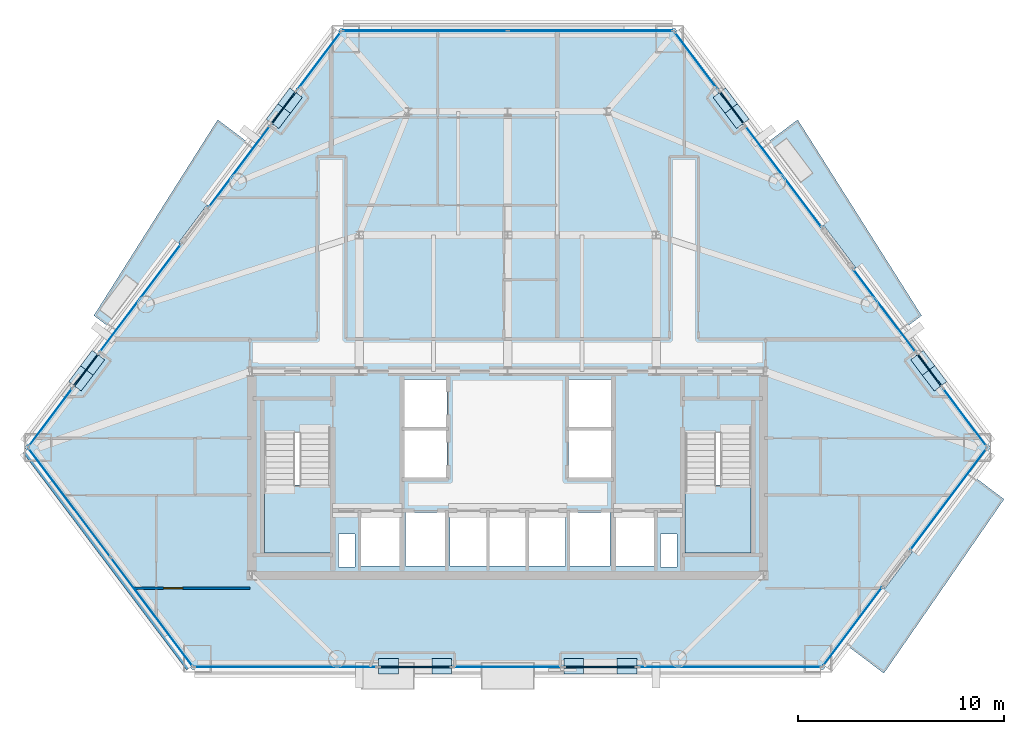
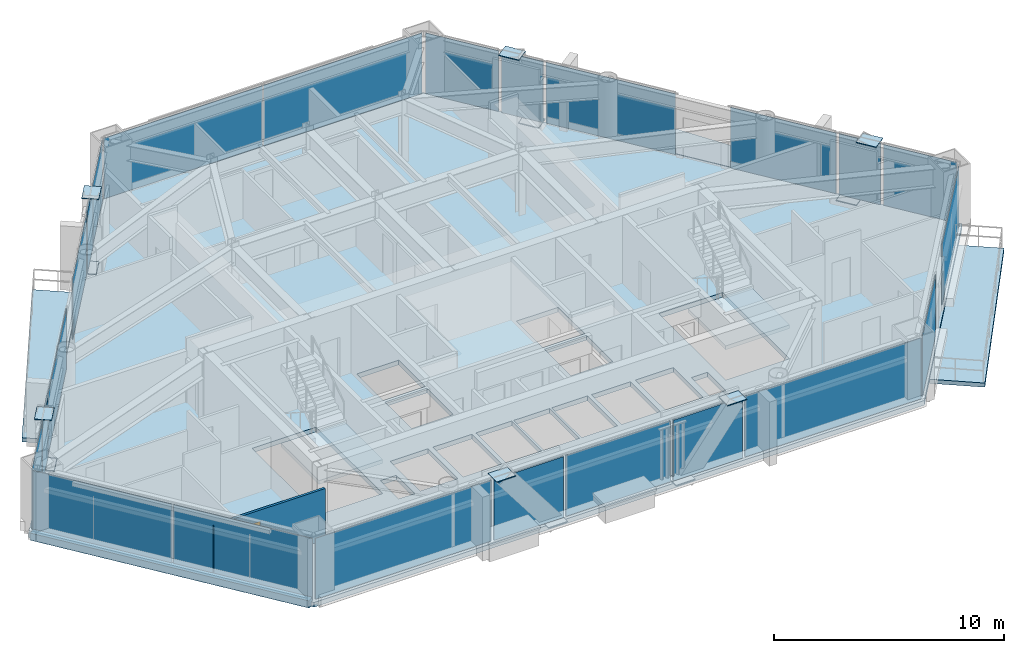
# One storey, part 5 of 11: 35 plates, 6 slabs, 2 walls, 1 door, 1 opening, 23 elements without a shape of their own.
"""IFC4 building model written with IfcOpenShell, lengths in metres."""

from ifc_helpers import new_model, si_unit, direction, frame, frame_2d, origin, origin_2d, place, context, subcontext, project, spatial, polyline, rectangle, outline, extrude, source, transform, mapped, material, layer, layer_set, type_object, type_shapes, element, fill, aggregate, save


model = new_model("IFC4")

# Units and contexts
model_context = context("Model", 3, precision=1e-05, world=origin(), true_north=direction((0.0, 1.0)))
body_context = subcontext(model_context, "Body", "Model", "MODEL_VIEW")
ifc_project = project(units=[si_unit("LENGTHUNIT", "METRE"), si_unit("AREAUNIT", "SQUARE_METRE"), si_unit("VOLUMEUNIT", "CUBIC_METRE"), si_unit("PLANEANGLEUNIT", "RADIAN"), si_unit("MASSUNIT", "GRAM", prefix="KILO")], contexts=[model_context])

# Site, building, storey
site_placement = place(None, origin())
site = spatial("IfcSite", under=ifc_project, at=site_placement, CompositionType="ELEMENT")
building_placement = place(site_placement, origin())
building = spatial("IfcBuilding", under=site, at=building_placement, Name="Talgorran Terracotta Tower", CompositionType="ELEMENT")
storey_placement = place(building_placement, frame((0.0, 0.0, 42.300048828125)))
storey = spatial("IfcBuildingStorey", under=building, at=storey_placement, Name="L10", CompositionType="ELEMENT", Elevation=42.300048828125)

# Plates
ifc_material_1 = material(Name="Steel Grade 350 (350L0)", Category="steel")
ifc_layer_1 = layer(ifc_material_1, 0.0400390625, Name="PL_CAP_MN05")
ifc_layer_set_1 = layer_set([ifc_layer_1], Name="Steel Grade 350 (350L0)")
plate_type_1 = type_object("IfcPlateType", Name="PL_CAP_MN05", PredefinedType="USERDEFINED", material=ifc_layer_set_1)
for number, where, z_axis, x_axis, name in (
    (1, (-3.197021484375, -18.49560546875, -0.010009765625), (0.0, 0.0, 1.0), (-1.0, 0.0, 0.0), "L10 Diagonal Frame End Cap SWF Bot"),
    (2, (-5.784912109375, -18.49560546875, 3.31982421875), (0.0, 0.0, 1.0), (-1.0, 0.0, 0.0), "L10 Diagonal Frame End Cap SWF Top"),
    (3, (3.197021484375, -18.49560546875, -0.010009765625), (0.0, 0.0, 1.0), (1.0, 0.0, 0.0), "L10 Diagonal Frame End Cap SEF Bot"),
    (4, (5.784912109375, -18.49560546875, 3.31982421875), (0.0, 0.0, 1.0), (1.0, 0.0, 0.0), "L10 Diagonal Frame End Cap SEF Top"),
    (5, (20.127685546875, -3.80029296875, -0.010009765625), (0.0, 0.0, 1.0), (0.601675625795, -0.798740534419, 0.0), "L10 Diagonal Frame End Cap NEL Bot"),
    (6, (20.689453125, -4.546142578125, 3.31982421875), (0.0, 0.0, 1.0), (0.601675625795, -0.798740534419, 0.0), "L10 Diagonal Frame End Cap NEL Top"),
    (7, (11.10888671875, 8.173583984375, -0.010009765625), (0.0, 0.0, 1.0), (-0.601675625795, 0.798740534419, 0.0), "L10 Diagonal Frame End Cap NEU Bot"),
    (8, (10.547119140625, 8.91943359375, 3.31982421875), (0.0, 0.0, 1.0), (-0.601675625795, 0.798740534419, 0.0), "L10 Diagonal Frame End Cap NEU Top"),
    (9, (-11.10888671875, 8.173583984375, -0.010009765625), (0.0, 0.0, 1.0), (0.601675625795, 0.798740534419, 0.0), "L10 Diagonal Frame End Cap NWU Bot"),
    (10, (-10.547119140625, 8.91943359375, 3.31982421875), (0.0, 0.0, 1.0), (0.601675625795, 0.798740534419, 0.0), "L10 Diagonal Frame End Cap NWU Top"),
    (11, (-20.127685546875, -3.80029296875, -0.010009765625), (0.0, 0.0, 1.0), (-0.601675625795, -0.798740534419, 0.0), "L10 Diagonal Frame End Cap NWL Bot"),
    (12, (-20.689453125, -4.546142578125, 3.31982421875), (0.0, 0.0, 1.0), (-0.601675625795, -0.798740534419, 0.0), "L10 Diagonal Frame End Cap NWL Top"),
):
    element("IfcPlate", number, at=place(storey_placement, frame(where, z_axis=z_axis, x_axis=x_axis)), inside=storey, type_object=plate_type_1, Name=name, ObjectType="CAP PLATE", PredefinedType="USERDEFINED", context=body_context, shape_type="SweptSolid", body=[
        extrude(rectangle(XDim=0.9599609375, YDim=0.760009765625, at=origin_2d()), origin(), (0.0, 0.0, 1.0), 0.0400390625),
    ])

# Slabs
ifc_material_2 = material(Name="Concrete C40/50", Category="concrete")
ifc_layer_2 = layer(ifc_material_2, 0.219970703125, Name="SL_BALCONY_220")
ifc_layer_set_2 = layer_set([ifc_layer_2], Name="Concrete C40/50")
slab_type_1 = type_object("IfcSlabType", Name="SL_BALCONY_220", PredefinedType="FLOOR", material=ifc_layer_set_2)
slab_1_placement = place(storey_placement, frame((0.0, 0.0, -0.219970703125)))
element("IfcSlab", 13, at=slab_1_placement, inside=storey, type_object=slab_type_1, Name="L10 Outdoor Wave Balcony BAL-NE", PredefinedType="FLOOR", context=body_context, shape_type="SweptSolid", body=[
    extrude(outline(polyline([(12.403564453125, 6.74560546875), (19.13720703125, -2.1943359375), (20.0576171875, -1.501220703125), (14.05517578125, 7.989501953125), (12.403564453125, 6.74560546875)])), origin(), (0.0, 0.0, 1.0), 0.219970703125),
])
slab_2_placement = place(storey_placement, frame((0.0, 0.0, -0.219970703125)))
element("IfcSlab", 14, at=slab_2_placement, inside=storey, type_object=slab_type_1, Name="L10 Outdoor Wave Balcony BAL-NW", PredefinedType="FLOOR", context=body_context, shape_type="SweptSolid", body=[
    extrude(outline(polyline([(-19.13720703125, -2.1943359375), (-12.403564453125, 6.74560546875), (-14.05517578125, 7.989501953125), (-20.0576171875, -1.501220703125), (-19.13720703125, -2.1943359375)])), origin(), (0.0, 0.0, 1.0), 0.219970703125),
])
slab_3_placement = place(storey_placement, frame((0.0, 0.0, -0.219970703125)))
element("IfcSlab", 15, at=slab_3_placement, inside=storey, type_object=slab_type_1, Name="L10 Outdoor Wave Balcony BAL-SE", PredefinedType="FLOOR", context=body_context, shape_type="SweptSolid", body=[
    extrude(outline(polyline([(22.44921875, -9.193115234375), (16.2880859375, -17.373046875), (18.232666015625, -18.837646484375), (24.05615234375, -10.4033203125), (22.44921875, -9.193115234375)])), origin(), (0.0, 0.0, 1.0), 0.219970703125),
])

# Stair, slab
stair_type = type_object("IfcStairType", Name="ST_FIRE_SCISSOR", PredefinedType="HALF_TURN_STAIR", material=ifc_material_2)
stair_1_placement = place(storey_placement, origin())
stair_1 = element("IfcStair", 16, at=stair_1_placement, inside=storey, type_object=stair_type, Name="L10 West Protected Fire Stair ST-01", PredefinedType="HALF_TURN_STAIR")
ifc_layer_3 = layer(ifc_material_2, 0.199951171875, Name="SL_LANDING_200")
ifc_layer_set_3 = layer_set([ifc_layer_3], Name="Concrete C40/50")
slab_type_2 = type_object("IfcSlabType", Name="SL_LANDING_200", PredefinedType="LANDING", material=ifc_layer_set_3)
slab_4_placement = place(storey_placement, frame((0.0, 0.0, 1.599853515625)))
slab_4 = element("IfcSlab", 17, at=slab_4_placement, type_object=slab_type_2, Name="ST-01 landing 1", PredefinedType="LANDING", context=body_context, shape_type="SweptSolid", body=[
    extrude(outline(polyline([(-11.800048828125, -9.719970703125), (-11.800048828125, -13.0), (-8.60009765625, -13.0), (-8.60009765625, -9.719970703125), (-11.800048828125, -9.719970703125)])), origin(), (0.0, 0.0, 1.0), 0.2001953125),
])
aggregate(stair_1, [slab_4])

stair_2_placement = place(storey_placement, origin())
stair_2 = element("IfcStair", 18, at=stair_2_placement, inside=storey, type_object=stair_type, Name="L10 East Protected Fire Stair ST-02", PredefinedType="HALF_TURN_STAIR")
slab_5_placement = place(storey_placement, frame((0.0, 0.0, 1.599853515625)))
slab_5 = element("IfcSlab", 19, at=slab_5_placement, type_object=slab_type_2, Name="ST-02 landing 1", PredefinedType="LANDING", context=body_context, shape_type="SweptSolid", body=[
    extrude(outline(polyline([(8.60009765625, -9.719970703125), (8.60009765625, -13.0), (11.800048828125, -13.0), (11.800048828125, -9.719970703125), (8.60009765625, -9.719970703125)])), origin(), (0.0, 0.0, 1.0), 0.2001953125),
])
aggregate(stair_2, [slab_5])

# Slab
ifc_layer_4 = layer(ifc_material_2, 0.264892578125, Name="SL_TOWER_265")
ifc_layer_set_4 = layer_set([ifc_layer_4], Name="Concrete C40/50")
slab_type_3 = type_object("IfcSlabType", Name="SL_TOWER_265", PredefinedType="FLOOR", material=ifc_layer_set_4)
slab_6_placement = place(storey_placement, frame((0.0, 0.0, -0.25)))
element("IfcSlab", 20, at=slab_6_placement, inside=storey, type_object=slab_type_3, Name="Storey L10 Structural Floor Slab", PredefinedType="FLOOR", context=body_context, shape_type="SweptSolid", body=[
    extrude(outline(polyline([(-23.409912109375, -7.892333984375), (-15.30322265625, -18.655517578125), (15.30322265625, -18.655517578125), (23.409912109375, -7.892333984375), (8.106689453125, 12.42578125), (-8.106689453125, 12.42578125), (-23.409912109375, -7.892333984375)]), holes=[polyline([(-11.800048828125, -7.199951171875), (-11.800048828125, -13.0), (-8.60009765625, -13.0), (-8.60009765625, -7.199951171875), (-11.800048828125, -7.199951171875)]), polyline([(8.60009765625, -7.199951171875), (8.60009765625, -13.0), (11.800048828125, -13.0), (11.800048828125, -7.199951171875), (8.60009765625, -7.199951171875)]), polyline([(-7.10009765625, -13.64990234375), (-5.199951171875, -13.64990234375), (-5.199951171875, -11.050048828125), (-7.10009765625, -11.050048828125), (-7.10009765625, -13.64990234375)]), polyline([(5.199951171875, -13.64990234375), (7.10009765625, -13.64990234375), (7.10009765625, -11.050048828125), (5.199951171875, -11.050048828125), (5.199951171875, -13.64990234375)]), polyline([(3.0, -13.64990234375), (4.949951171875, -13.64990234375), (4.949951171875, -11.050048828125), (3.0, -11.050048828125), (3.0, -13.64990234375)]), polyline([(-4.949951171875, -13.64990234375), (-3.0, -13.64990234375), (-3.0, -11.050048828125), (-4.949951171875, -11.050048828125), (-4.949951171875, -13.64990234375)]), polyline([(-5.050048828125, -9.35009765625), (-2.949951171875, -9.35009765625), (-2.949951171875, -7.050048828125), (-5.050048828125, -7.050048828125), (-5.050048828125, -9.35009765625)]), polyline([(-5.050048828125, -6.89990234375), (-2.949951171875, -6.89990234375), (-2.949951171875, -4.60009765625), (-5.050048828125, -4.60009765625), (-5.050048828125, -6.89990234375)]), polyline([(2.949951171875, -9.35009765625), (5.050048828125, -9.35009765625), (5.050048828125, -7.050048828125), (2.949951171875, -7.050048828125), (2.949951171875, -9.35009765625)]), polyline([(2.949951171875, -6.89990234375), (5.050048828125, -6.89990234375), (5.050048828125, -4.60009765625), (2.949951171875, -4.60009765625), (2.949951171875, -6.89990234375)]), polyline([(-2.800048828125, -13.64990234375), (-1.0, -13.64990234375), (-1.0, -11.050048828125), (-2.800048828125, -11.050048828125), (-2.800048828125, -13.64990234375)]), polyline([(-0.89990234375, -13.64990234375), (0.89990234375, -13.64990234375), (0.89990234375, -11.050048828125), (-0.89990234375, -11.050048828125), (-0.89990234375, -13.64990234375)]), polyline([(1.0, -13.64990234375), (2.800048828125, -13.64990234375), (2.800048828125, -11.050048828125), (1.0, -11.050048828125), (1.0, -13.64990234375)]), polyline([(-8.199951171875, -13.699951171875), (-7.39990234375, -13.699951171875), (-7.39990234375, -12.10009765625), (-8.199951171875, -12.10009765625), (-8.199951171875, -13.699951171875)]), polyline([(7.39990234375, -13.699951171875), (8.199951171875, -13.699951171875), (8.199951171875, -12.10009765625), (7.39990234375, -12.10009765625), (7.39990234375, -13.699951171875)])]), origin(), (0.0, 0.0, 1.0), 0.25),
])

# Curtain wall, plates
ifc_material_3 = material(Name="Unitised Low-E Double Glazing", Category="glass")
ifc_layer_5 = layer(ifc_material_3, 0.199951171875, Name="CW_SYS2_RES_LOW")
ifc_layer_set_5 = layer_set([ifc_layer_5], Name="Unitised Low-E Double Glazing")
curtain_wall_type = type_object("IfcCurtainWallType", Name="CW_SYS2_RES_LOW", PredefinedType="NOTDEFINED", material=ifc_layer_set_5)
curtain_wall_1_placement = place(storey_placement, origin())
curtain_wall_1 = element("IfcCurtainWall", 21, at=curtain_wall_1_placement, inside=storey, type_object=curtain_wall_type, Name="CW-L10-F0", PredefinedType="NOTDEFINED")
ifc_material_4 = material(Name="Low-E Laminated Vision Glass", Category="glass")
ifc_layer_6 = layer(ifc_material_4, 0.028076171875, Name="PLT_VISION_28")
ifc_layer_set_6 = layer_set([ifc_layer_6], Name="Low-E Laminated Vision Glass")
plate_type_2 = type_object("IfcPlateType", Name="PLT_VISION_28", PredefinedType="CURTAIN_PANEL", material=ifc_layer_set_6)
shared_shape_1 = source(origin(), body_context, "Body", "SweptSolid", [
    extrude(rectangle(XDim=6.564697265625, YDim=0.028076171875, at=origin_2d()), origin(), (0.0, 0.0, 1.0), 3.219970703125),
])
plate_1_placement = place(storey_placement, frame((-21.245849609375, -10.566162109375, 0.06494140625), z_axis=(0.0, 0.0, 1.0), x_axis=(0.60163184062, -0.798773515054, 0.0)))
plate_1 = element("IfcPlate", 22, at=plate_1_placement, type_object=plate_type_2, Name="CW-L10-0 panel 1.1", PredefinedType="CURTAIN_PANEL", context=body_context, shape_type="MappedRepresentation", body=[
    mapped(shared_shape_1, transform((0.0, 0.0, 0.0), scale=1.0)),
])
plate_2_placement = place(storey_placement, frame((-17.25732421875, -15.86181640625, 0.06494140625), z_axis=(0.0, 0.0, 1.0), x_axis=(0.60163184062, -0.798773515054, 0.0)))
plate_2 = element("IfcPlate", 23, at=plate_2_placement, type_object=plate_type_2, Name="CW-L10-0 panel 2.1", PredefinedType="CURTAIN_PANEL", context=body_context, shape_type="MappedRepresentation", body=[
    mapped(shared_shape_1, transform((0.0, 0.0, 0.0), scale=1.0)),
])
aggregate(curtain_wall_1, [plate_1, plate_2])

curtain_wall_2_placement = place(storey_placement, origin())
curtain_wall_2 = element("IfcCurtainWall", 24, at=curtain_wall_2_placement, inside=storey, type_object=curtain_wall_type, Name="CW-L10-F4", PredefinedType="NOTDEFINED")
shared_shape_2 = source(origin(), body_context, "Body", "SweptSolid", [
    extrude(rectangle(XDim=7.949462890625, YDim=0.028076171875, at=origin_2d()), origin(), (0.0, 0.0, 1.0), 3.219970703125),
])
plate_3_placement = place(storey_placement, frame((4.007080078125, 12.3056640625, 0.06494140625), z_axis=(0.0, 0.0, 1.0), x_axis=(-1.0, 0.0, 0.0)))
plate_3 = element("IfcPlate", 25, at=plate_3_placement, type_object=plate_type_2, Name="CW-L10-4 panel 1.1", PredefinedType="CURTAIN_PANEL", context=body_context, shape_type="MappedRepresentation", body=[
    mapped(shared_shape_2, transform((0.0, 0.0, 0.0), scale=1.0)),
])
plate_4_placement = place(storey_placement, frame((-4.007080078125, 12.3056640625, 0.06494140625), z_axis=(0.0, 0.0, 1.0), x_axis=(-1.0, 0.0, 0.0)))
plate_4 = element("IfcPlate", 26, at=plate_4_placement, type_object=plate_type_2, Name="CW-L10-4 panel 2.1", PredefinedType="CURTAIN_PANEL", context=body_context, shape_type="MappedRepresentation", body=[
    mapped(shared_shape_2, transform((0.0, 0.0, 0.0), scale=1.0)),
])
aggregate(curtain_wall_2, [plate_3, plate_4])

# Curtain wall, plate
curtain_wall_3_placement = place(storey_placement, origin())
curtain_wall_3 = element("IfcCurtainWall", 27, at=curtain_wall_3_placement, inside=storey, type_object=curtain_wall_type, Name="CW-L10-F1", PredefinedType="NOTDEFINED")
shared_shape_3 = source(origin(), body_context, "Body", "SweptSolid", [
    extrude(rectangle(XDim=8.8154296875, YDim=0.028076171875, at=origin_2d()), origin(), (0.0, 0.0, 1.0), 3.219970703125),
])
plate_5_placement = place(storey_placement, frame((-10.770751953125, -18.53564453125, 0.06494140625), z_axis=(0.0, 0.0, 1.0), x_axis=(1.0, 0.0, 0.0)))
plate_5 = element("IfcPlate", 28, at=plate_5_placement, type_object=plate_type_2, Name="CW-L10-1 panel 1.1", PredefinedType="CURTAIN_PANEL", context=body_context, shape_type="MappedRepresentation", body=[
    mapped(shared_shape_3, transform((0.0, 0.0, 0.0), scale=1.0)),
])
aggregate(curtain_wall_3, [plate_5])

curtain_wall_4_placement = place(storey_placement, origin())
curtain_wall_4 = element("IfcCurtainWall", 29, at=curtain_wall_4_placement, inside=storey, type_object=curtain_wall_type, Name="CW-L10-F1E", PredefinedType="NOTDEFINED")
plate_6_placement = place(storey_placement, frame((10.770751953125, -18.53564453125, 0.06494140625), z_axis=(0.0, 0.0, 1.0), x_axis=(1.0, 0.0, 0.0)))
plate_6 = element("IfcPlate", 30, at=plate_6_placement, type_object=plate_type_2, Name="CW-L10-1E panel 1.1", PredefinedType="CURTAIN_PANEL", context=body_context, shape_type="MappedRepresentation", body=[
    mapped(shared_shape_3, transform((0.0, 0.0, 0.0), scale=1.0)),
])
aggregate(curtain_wall_4, [plate_6])

curtain_wall_5_placement = place(storey_placement, origin())
curtain_wall_5 = element("IfcCurtainWall", 31, at=curtain_wall_5_placement, inside=storey, type_object=curtain_wall_type, Name="CW-L10-F1B", PredefinedType="NOTDEFINED")
ifc_material_5 = material(Name="Terracotta Insulated Spandrel", Category="masonry")
ifc_layer_7 = layer(ifc_material_5, 0.06494140625, Name="PLT_SPANDREL_TERRA")
ifc_layer_set_7 = layer_set([ifc_layer_7], Name="Terracotta Insulated Spandrel")
plate_type_3 = type_object("IfcPlateType", Name="PLT_SPANDREL_TERRA", PredefinedType="SHEET", material=ifc_layer_set_7)
shared_shape_4 = source(origin(), body_context, "Body", "SweptSolid", [
    extrude(rectangle(XDim=3.464111328125, YDim=0.06494140625, at=origin_2d()), origin(), (0.0, 0.0, 1.0), 3.219970703125),
])
plate_7_placement = place(storey_placement, frame((-4.490966796875, -18.53564453125, 0.06494140625), z_axis=(0.0, 0.0, 1.0), x_axis=(1.0, 0.0, 0.0)))
plate_7 = element("IfcPlate", 32, at=plate_7_placement, type_object=plate_type_3, Name="CW-L10-1B panel 1.1", PredefinedType="CURTAIN_PANEL", context=body_context, shape_type="MappedRepresentation", body=[
    mapped(shared_shape_4, transform((0.0, 0.0, 0.0), scale=1.0)),
])
aggregate(curtain_wall_5, [plate_7])

curtain_wall_6_placement = place(storey_placement, origin())
curtain_wall_6 = element("IfcCurtainWall", 33, at=curtain_wall_6_placement, inside=storey, type_object=curtain_wall_type, Name="CW-L10-F1D", PredefinedType="NOTDEFINED")
plate_8_placement = place(storey_placement, frame((4.490966796875, -18.53564453125, 0.06494140625), z_axis=(0.0, 0.0, 1.0), x_axis=(1.0, 0.0, 0.0)))
plate_8 = element("IfcPlate", 34, at=plate_8_placement, type_object=plate_type_3, Name="CW-L10-1D panel 1.1", PredefinedType="CURTAIN_PANEL", context=body_context, shape_type="MappedRepresentation", body=[
    mapped(shared_shape_4, transform((0.0, 0.0, 0.0), scale=1.0)),
])
aggregate(curtain_wall_6, [plate_8])

curtain_wall_7_placement = place(storey_placement, origin())
curtain_wall_7 = element("IfcCurtainWall", 35, at=curtain_wall_7_placement, inside=storey, type_object=curtain_wall_type, Name="CW-L10-F1C", PredefinedType="NOTDEFINED")
shared_shape_5 = source(origin(), body_context, "Body", "SweptSolid", [
    extrude(rectangle(XDim=5.237548828125, YDim=0.028076171875, at=origin_2d()), origin(), (0.0, 0.0, 1.0), 3.219970703125),
])
plate_9_placement = place(storey_placement, frame((0.0, -18.53564453125, 0.06494140625), z_axis=(0.0, 0.0, 1.0), x_axis=(1.0, 0.0, 0.0)))
plate_9 = element("IfcPlate", 36, at=plate_9_placement, type_object=plate_type_2, Name="CW-L10-1C panel 1.1", PredefinedType="CURTAIN_PANEL", context=body_context, shape_type="MappedRepresentation", body=[
    mapped(shared_shape_5, transform((0.0, 0.0, 0.0), scale=1.0)),
])
aggregate(curtain_wall_7, [plate_9])

curtain_wall_8_placement = place(storey_placement, origin())
curtain_wall_8 = element("IfcCurtainWall", 37, at=curtain_wall_8_placement, inside=storey, type_object=curtain_wall_type, Name="CW-L10-F30", PredefinedType="NOTDEFINED")
shared_shape_6 = source(origin(), body_context, "Body", "SweptSolid", [
    extrude(rectangle(XDim=4.714599609375, YDim=0.028076171875, at=origin_2d()), origin(), (0.0, 0.0, 1.0), 3.219970703125),
])
plate_10_placement = place(storey_placement, frame((16.724853515625, -16.568603515625, 0.06494140625), z_axis=(0.0, 0.0, 1.0), x_axis=(0.601630235956, 0.798774723676, 0.0)))
plate_10 = element("IfcPlate", 38, at=plate_10_placement, type_object=plate_type_2, Name="CW-L10-30 panel 1.1", PredefinedType="CURTAIN_PANEL", context=body_context, shape_type="MappedRepresentation", body=[
    mapped(shared_shape_6, transform((0.0, 0.0, 0.0), scale=1.0)),
])
aggregate(curtain_wall_8, [plate_10])

curtain_wall_9_placement = place(storey_placement, origin())
curtain_wall_9 = element("IfcCurtainWall", 39, at=curtain_wall_9_placement, inside=storey, type_object=curtain_wall_type, Name="CW-L10-F31", PredefinedType="NOTDEFINED")
shared_shape_7 = source(origin(), body_context, "Body", "SweptSolid", [
    extrude(rectangle(XDim=6.109619140625, YDim=0.028076171875, at=origin_2d()), origin(), (0.0, 0.0, 1.0), 3.219970703125),
])
plate_11_placement = place(storey_placement, frame((21.358642578125, -10.41650390625, 0.06494140625), z_axis=(0.0, 0.0, 1.0), x_axis=(0.601632163053, 0.798773272199, 0.0)))
plate_11 = element("IfcPlate", 40, at=plate_11_placement, type_object=plate_type_2, Name="CW-L10-31 panel 1.1", PredefinedType="CURTAIN_PANEL", context=body_context, shape_type="MappedRepresentation", body=[
    mapped(shared_shape_7, transform((0.0, 0.0, 0.0), scale=1.0)),
])
aggregate(curtain_wall_9, [plate_11])

curtain_wall_10_placement = place(storey_placement, origin())
curtain_wall_10 = element("IfcCurtainWall", 41, at=curtain_wall_10_placement, inside=storey, type_object=curtain_wall_type, Name="CW-L10-F40", PredefinedType="NOTDEFINED")
shared_shape_8 = source(origin(), body_context, "Body", "SweptSolid", [
    extrude(rectangle(XDim=3.460205078125, YDim=0.028076171875, at=origin_2d()), origin(), (0.0, 0.0, 1.0), 3.219970703125),
])
plate_12_placement = place(storey_placement, frame((22.15576171875, -6.426513671875, 0.06494140625), z_axis=(0.0, 0.0, 1.0), x_axis=(-0.601629838254, 0.798775023222, 0.0)))
plate_12 = element("IfcPlate", 42, at=plate_12_placement, type_object=plate_type_2, Name="CW-L10-40 panel 1.1", PredefinedType="CURTAIN_PANEL", context=body_context, shape_type="MappedRepresentation", body=[
    mapped(shared_shape_8, transform((0.0, 0.0, 0.0), scale=1.0)),
])
aggregate(curtain_wall_10, [plate_12])

curtain_wall_11_placement = place(storey_placement, origin())
curtain_wall_11 = element("IfcCurtainWall", 43, at=curtain_wall_11_placement, inside=storey, type_object=curtain_wall_type, Name="CW-L10-F61C", PredefinedType="NOTDEFINED")
plate_13_placement = place(storey_placement, frame((-22.15576171875, -6.426513671875, 0.06494140625), z_axis=(0.0, 0.0, 1.0), x_axis=(-0.601629838254, -0.798775023222, 0.0)))
plate_13 = element("IfcPlate", 44, at=plate_13_placement, type_object=plate_type_2, Name="CW-L10-61C panel 1.1", PredefinedType="CURTAIN_PANEL", context=body_context, shape_type="MappedRepresentation", body=[
    mapped(shared_shape_8, transform((0.0, 0.0, 0.0), scale=1.0)),
])
aggregate(curtain_wall_11, [plate_13])

curtain_wall_12_placement = place(storey_placement, origin())
curtain_wall_12 = element("IfcCurtainWall", 45, at=curtain_wall_12_placement, inside=storey, type_object=curtain_wall_type, Name="CW-L10-F40B", PredefinedType="NOTDEFINED")
shared_shape_9 = source(origin(), body_context, "Body", "SweptSolid", [
    extrude(rectangle(XDim=1.961669921875, YDim=0.06494140625, at=origin_2d()), origin(), (0.0, 0.0, 1.0), 3.219970703125),
])
type_shapes(plate_type_3, [shared_shape_4, shared_shape_9])
plate_14_placement = place(storey_placement, frame((20.4404296875, -4.149169921875, 0.06494140625), z_axis=(0.0, 0.0, 1.0), x_axis=(-0.601620426931, 0.798782111654, 0.0)))
plate_14 = element("IfcPlate", 46, at=plate_14_placement, type_object=plate_type_3, Name="CW-L10-40B panel 1.1", PredefinedType="CURTAIN_PANEL", context=body_context, shape_type="MappedRepresentation", body=[
    mapped(shared_shape_9, transform((0.0, 0.0, 0.0), scale=1.0)),
])
aggregate(curtain_wall_12, [plate_14])

curtain_wall_13_placement = place(storey_placement, origin())
curtain_wall_13 = element("IfcCurtainWall", 47, at=curtain_wall_13_placement, inside=storey, type_object=curtain_wall_type, Name="CW-L10-F41B", PredefinedType="NOTDEFINED")
plate_15_placement = place(storey_placement, frame((10.860107421875, 8.570556640625, 0.06494140625), z_axis=(0.0, 0.0, 1.0), x_axis=(-0.601643402519, 0.798764806564, 0.0)))
plate_15 = element("IfcPlate", 48, at=plate_15_placement, type_object=plate_type_3, Name="CW-L10-41B panel 1.1", PredefinedType="CURTAIN_PANEL", context=body_context, shape_type="MappedRepresentation", body=[
    mapped(shared_shape_9, transform((0.0, 0.0, 0.0), scale=1.0)),
])
aggregate(curtain_wall_13, [plate_15])

curtain_wall_14_placement = place(storey_placement, origin())
curtain_wall_14 = element("IfcCurtainWall", 49, at=curtain_wall_14_placement, inside=storey, type_object=curtain_wall_type, Name="CW-L10-F60B", PredefinedType="NOTDEFINED")
plate_16_placement = place(storey_placement, frame((-10.860107421875, 8.570556640625, 0.06494140625), z_axis=(0.0, 0.0, 1.0), x_axis=(-0.601643402519, -0.798764806564, 0.0)))
plate_16 = element("IfcPlate", 50, at=plate_16_placement, type_object=plate_type_3, Name="CW-L10-60B panel 1.1", PredefinedType="CURTAIN_PANEL", context=body_context, shape_type="MappedRepresentation", body=[
    mapped(shared_shape_9, transform((0.0, 0.0, 0.0), scale=1.0)),
])
aggregate(curtain_wall_14, [plate_16])

curtain_wall_15_placement = place(storey_placement, origin())
curtain_wall_15 = element("IfcCurtainWall", 51, at=curtain_wall_15_placement, inside=storey, type_object=curtain_wall_type, Name="CW-L10-F61B", PredefinedType="NOTDEFINED")
plate_17_placement = place(storey_placement, frame((-20.4404296875, -4.149169921875, 0.06494140625), z_axis=(0.0, 0.0, 1.0), x_axis=(-0.601620426931, -0.798782111654, 0.0)))
plate_17 = element("IfcPlate", 52, at=plate_17_placement, type_object=plate_type_3, Name="CW-L10-61B panel 1.1", PredefinedType="CURTAIN_PANEL", context=body_context, shape_type="MappedRepresentation", body=[
    mapped(shared_shape_9, transform((0.0, 0.0, 0.0), scale=1.0)),
])
aggregate(curtain_wall_15, [plate_17])

curtain_wall_16_placement = place(storey_placement, origin())
curtain_wall_16 = element("IfcCurtainWall", 53, at=curtain_wall_16_placement, inside=storey, type_object=curtain_wall_type, Name="CW-L10-F40C", PredefinedType="NOTDEFINED")
shared_shape_10 = source(origin(), body_context, "Body", "SweptSolid", [
    extrude(rectangle(XDim=4.987548828125, YDim=0.028076171875, at=origin_2d()), origin(), (0.0, 0.0, 1.0), 3.219970703125),
])
plate_18_placement = place(storey_placement, frame((18.265869140625, -1.261962890625, 0.06494140625), z_axis=(0.0, 0.0, 1.0), x_axis=(-0.601621379085, 0.798781394518, 0.0)))
plate_18 = element("IfcPlate", 54, at=plate_18_placement, type_object=plate_type_2, Name="CW-L10-40C panel 1.1", PredefinedType="CURTAIN_PANEL", context=body_context, shape_type="MappedRepresentation", body=[
    mapped(shared_shape_10, transform((0.0, 0.0, 0.0), scale=1.0)),
])
aggregate(curtain_wall_16, [plate_18])

curtain_wall_17_placement = place(storey_placement, origin())
curtain_wall_17 = element("IfcCurtainWall", 55, at=curtain_wall_17_placement, inside=storey, type_object=curtain_wall_type, Name="CW-L10-F41", PredefinedType="NOTDEFINED")
shared_shape_11 = source(origin(), body_context, "Body", "SweptSolid", [
    extrude(rectangle(XDim=6.104736328125, YDim=0.028076171875, at=origin_2d()), origin(), (0.0, 0.0, 1.0), 3.219970703125),
])
plate_19_placement = place(storey_placement, frame((13.370849609375, 5.2373046875, 0.06494140625), z_axis=(0.0, 0.0, 1.0), x_axis=(-0.601625763078, 0.79877809259, 0.0)))
plate_19 = element("IfcPlate", 56, at=plate_19_placement, type_object=plate_type_2, Name="CW-L10-41 panel 1.1", PredefinedType="CURTAIN_PANEL", context=body_context, shape_type="MappedRepresentation", body=[
    mapped(shared_shape_11, transform((0.0, 0.0, 0.0), scale=1.0)),
])
aggregate(curtain_wall_17, [plate_19])

curtain_wall_18_placement = place(storey_placement, origin())
curtain_wall_18 = element("IfcCurtainWall", 57, at=curtain_wall_18_placement, inside=storey, type_object=curtain_wall_type, Name="CW-L10-F41C", PredefinedType="NOTDEFINED")
shared_shape_12 = source(origin(), body_context, "Body", "SweptSolid", [
    extrude(rectangle(XDim=3.4501953125, YDim=0.028076171875, at=origin_2d()), origin(), (0.0, 0.0, 1.0), 3.219970703125),
])
plate_20_placement = place(storey_placement, frame((9.14794921875, 10.84375, 0.06494140625), z_axis=(0.0, 0.0, 1.0), x_axis=(-0.601629988652, 0.798774909943, 0.0)))
plate_20 = element("IfcPlate", 58, at=plate_20_placement, type_object=plate_type_2, Name="CW-L10-41C panel 1.1", PredefinedType="CURTAIN_PANEL", context=body_context, shape_type="MappedRepresentation", body=[
    mapped(shared_shape_12, transform((0.0, 0.0, 0.0), scale=1.0)),
])
aggregate(curtain_wall_18, [plate_20])

curtain_wall_19_placement = place(storey_placement, origin())
curtain_wall_19 = element("IfcCurtainWall", 59, at=curtain_wall_19_placement, inside=storey, type_object=curtain_wall_type, Name="CW-L10-F60", PredefinedType="NOTDEFINED")
plate_21_placement = place(storey_placement, frame((-9.14794921875, 10.84375, 0.06494140625), z_axis=(0.0, 0.0, 1.0), x_axis=(-0.601629988652, -0.798774909943, 0.0)))
plate_21 = element("IfcPlate", 60, at=plate_21_placement, type_object=plate_type_2, Name="CW-L10-60 panel 1.1", PredefinedType="CURTAIN_PANEL", context=body_context, shape_type="MappedRepresentation", body=[
    mapped(shared_shape_12, transform((0.0, 0.0, 0.0), scale=1.0)),
])
aggregate(curtain_wall_19, [plate_21])

curtain_wall_20_placement = place(storey_placement, origin())
curtain_wall_20 = element("IfcCurtainWall", 61, at=curtain_wall_20_placement, inside=storey, type_object=curtain_wall_type, Name="CW-L10-F60C", PredefinedType="NOTDEFINED")
shared_shape_13 = source(origin(), body_context, "Body", "SweptSolid", [
    extrude(rectangle(XDim=4.885009765625, YDim=0.028076171875, at=origin_2d()), origin(), (0.0, 0.0, 1.0), 3.219970703125),
])
plate_22_placement = place(storey_placement, frame((-13.00390625, 5.724365234375, 0.06494140625), z_axis=(0.0, 0.0, 1.0), x_axis=(-0.601625906659, -0.798777984446, 0.0)))
plate_22 = element("IfcPlate", 62, at=plate_22_placement, type_object=plate_type_2, Name="CW-L10-60C panel 1.1", PredefinedType="CURTAIN_PANEL", context=body_context, shape_type="MappedRepresentation", body=[
    mapped(shared_shape_13, transform((0.0, 0.0, 0.0), scale=1.0)),
])
aggregate(curtain_wall_20, [plate_22])

curtain_wall_21_placement = place(storey_placement, origin())
curtain_wall_21 = element("IfcCurtainWall", 63, at=curtain_wall_21_placement, inside=storey, type_object=curtain_wall_type, Name="CW-L10-F61", PredefinedType="NOTDEFINED")
shared_shape_14 = source(origin(), body_context, "Body", "SweptSolid", [
    extrude(rectangle(XDim=6.507568359375, YDim=0.028076171875, at=origin_2d()), origin(), (0.0, 0.0, 1.0), 3.219970703125),
])
type_shapes(plate_type_2, [shared_shape_1, shared_shape_2, shared_shape_3, shared_shape_5, shared_shape_6, shared_shape_7, shared_shape_8, shared_shape_10, shared_shape_11, shared_shape_12, shared_shape_13, shared_shape_14])
plate_23_placement = place(storey_placement, frame((-17.80859375, -0.65478515625, 0.06494140625), z_axis=(0.0, 0.0, 1.0), x_axis=(-0.60162587426, -0.798778008849, 0.0)))
plate_23 = element("IfcPlate", 64, at=plate_23_placement, type_object=plate_type_2, Name="CW-L10-61 panel 1.1", PredefinedType="CURTAIN_PANEL", context=body_context, shape_type="MappedRepresentation", body=[
    mapped(shared_shape_14, transform((0.0, 0.0, 0.0), scale=1.0)),
])
aggregate(curtain_wall_21, [plate_23])

# Wall
ifc_layer_8 = layer(ifc_material_2, 0.219970703125, Name="WT_PARAPET_RC")
ifc_layer_set_8 = layer_set([ifc_layer_8], Name="Concrete C40/50")
wall_type_1 = type_object("IfcWallType", Name="WT_PARAPET_RC", PredefinedType="PARAPET", material=ifc_layer_set_8)
wall_1_placement = place(storey_placement, frame((-23.339599609375, -8.052490234375, -0.199951171875), z_axis=(0.0, 0.0, 1.0), x_axis=(0.601636636194, -0.798769903032, 0.0)))
element("IfcWall", 65, at=wall_1_placement, inside=storey, type_object=wall_type_1, Name="L10 Striped Portal Precast Cornice F0", PredefinedType="PARAPET", context=body_context, shape_type="SweptSolid", body=[
    extrude(rectangle(XDim=13.164794921875, YDim=0.360107421875, at=frame_2d((6.58251953125, 0.0))), origin(), (0.0, 0.0, 1.0), 0.3798828125),
])

# Wall, opening, door
ifc_material_6 = material(Name="Insulated Steel Stud Plasterboard", Category="steel")
ifc_layer_9 = layer(ifc_material_6, 0.1201171875, Name="WT_PART_120")
ifc_layer_set_9 = layer_set([ifc_layer_9], Name="Insulated Steel Stud Plasterboard")
wall_type_2 = type_object("IfcWallType", Name="WT_PART_120", PredefinedType="PARTITIONING", material=ifc_layer_set_9)
wall_2_placement = place(storey_placement, frame((-18.1171875, -14.719970703125, 0.0), z_axis=(0.0, 0.0, 1.0), x_axis=(1.0, 0.0, 0.0)))
wall_2 = element("IfcWall", 66, at=wall_2_placement, inside=storey, type_object=wall_type_2, Name="WL-L10-W-L10-R26", PredefinedType="PARTITIONING", context=body_context, shape_type="SweptSolid", body=[
    extrude(rectangle(XDim=5.6171875, YDim=0.1201171875, at=frame_2d((2.80859375, 0.0))), origin(), (0.0, 0.0, 1.0), 2.71337890625),
])
opening_placement = place(wall_2_placement, frame((1.435791015625, 0.0, 0.0)))
opening = element("IfcOpeningElement", 67, at=opening_placement, cuts=wall_2, Name="Opening DR-L10-R05", PredefinedType="OPENING", context=body_context, shape_type="SweptSolid", body=[
    extrude(rectangle(XDim=0.925921875, YDim=2.10409765625, at=frame_2d((0.4599609375, 1.052001953125))), frame((0.0, 0.070068359375, 0.0), z_axis=(0.0, -1.0, 0.0), x_axis=(1.0, 0.0, 0.0)), (0.0, 0.0, 1.0), 0.14013671875),
])
ifc_material_7 = material(Name="Solid-Core Painted Timber", Category="wood")
door_type = type_object("IfcDoorType", Name="DT_INT_920", OperationType="NOTDEFINED", PredefinedType="DOOR", material=ifc_material_7)
door_placement = place(opening_placement, origin())
door = element("IfcDoor", 68, at=door_placement, inside=storey, type_object=door_type, Name="DR-L10-R05", OperationType="SINGLE_SWING_LEFT", OverallHeight=2.10009765625, OverallWidth=0.919921875, PredefinedType="DOOR", context=body_context, shape_type="SweptSolid", body=[
    extrude(rectangle(XDim=0.919921875, YDim=2.10009765625, at=frame_2d((0.4599609375, 1.050048828125))), frame((0.0, 0.02490234375, 0.0), z_axis=(0.0, -1.0, 0.0), x_axis=(1.0, 0.0, 0.0)), (0.0, 0.0, 1.0), 0.050048828125),
])
fill(opening, door)

save(model, "model.ifc")
